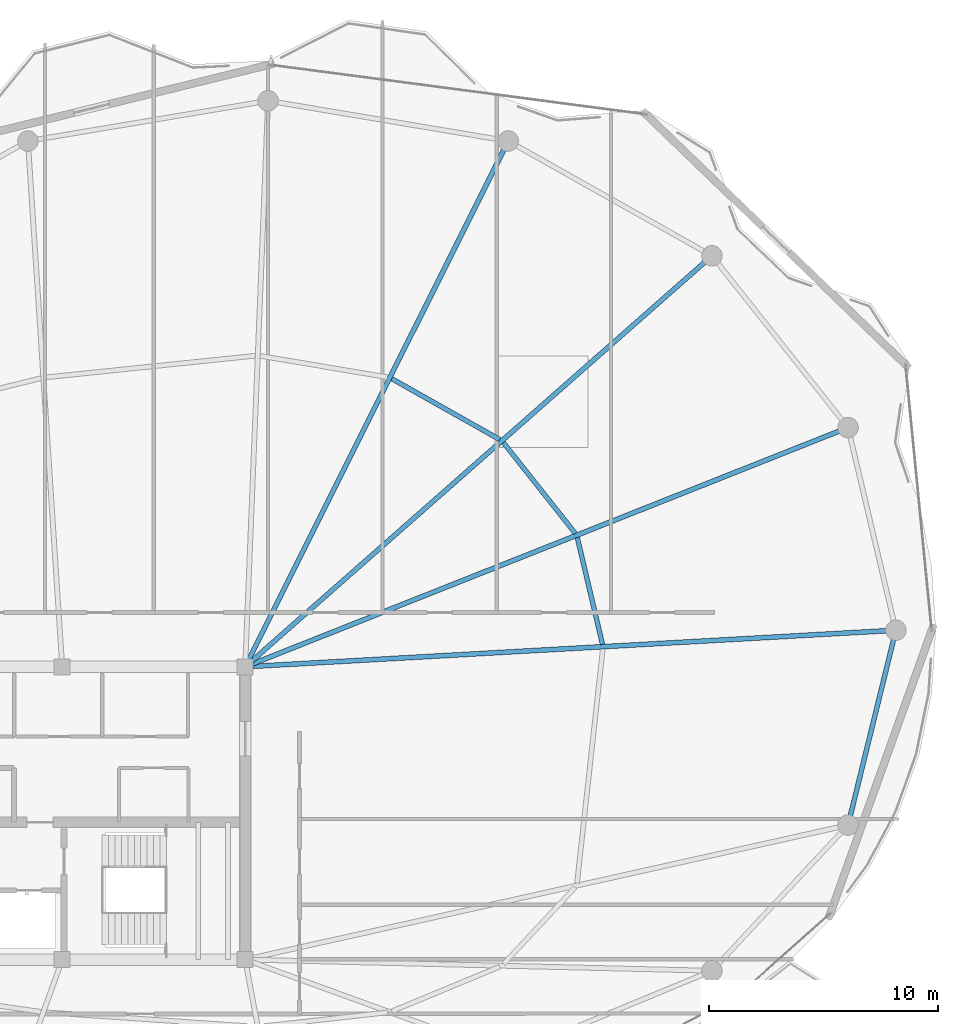
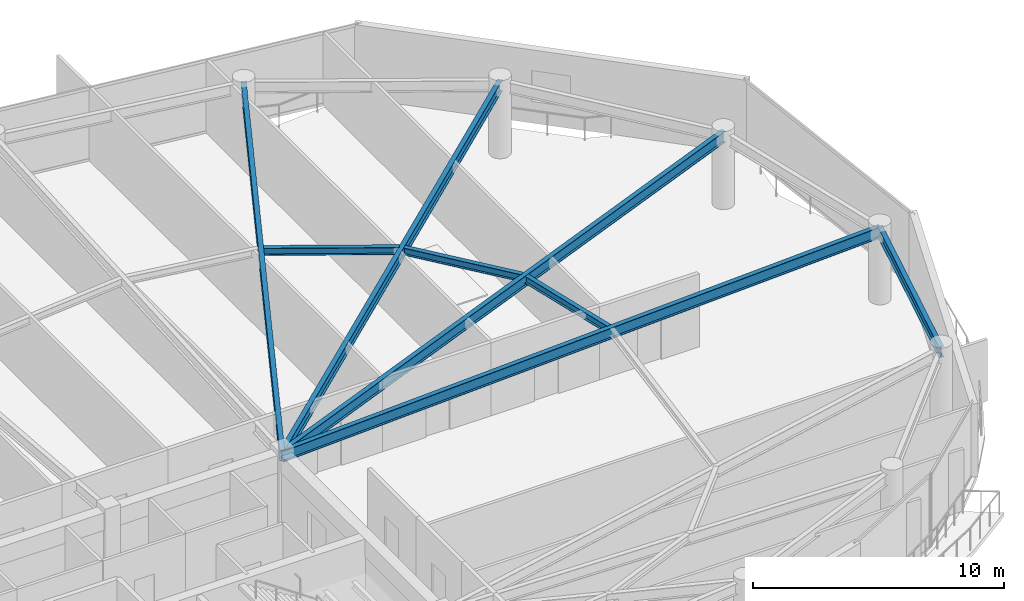
# One storey, part 16 of 30: 8 beams.
"""IFC4 building model written with IfcOpenShell, lengths in metres."""

from ifc_helpers import new_model, si_unit, direction, frame, origin, origin_2d, place, context, subcontext, project, spatial, i_section, extrude, material, material_profile, profile_set, type_object, element, save


model = new_model("IFC4")

# Units and contexts
model_context = context("Model", 3, precision=1e-05, world=origin(), true_north=direction((0.0, 1.0)))
body_context = subcontext(model_context, "Body", "Model", "MODEL_VIEW")
ifc_project = project(units=[si_unit("LENGTHUNIT", "METRE"), si_unit("AREAUNIT", "SQUARE_METRE"), si_unit("VOLUMEUNIT", "CUBIC_METRE"), si_unit("PLANEANGLEUNIT", "RADIAN"), si_unit("MASSUNIT", "GRAM", prefix="KILO")], contexts=[model_context])

# Site, building, storey
site_placement = place(None, origin())
site = spatial("IfcSite", under=ifc_project, at=site_placement, CompositionType="ELEMENT")
building_placement = place(site_placement, origin())
building = spatial("IfcBuilding", under=site, at=building_placement, Name="Kazevale Care Tower and Concert Hall", CompositionType="ELEMENT")
storey_placement = place(building_placement, frame((0.0, 0.0, 258.60009765625)))
storey = spatial("IfcBuildingStorey", under=building, at=storey_placement, Name="L68", CompositionType="ELEMENT", Elevation=258.60009765625)

# Beams
ifc_material = material(Name="Steel ASTM A572 Gr 50", Category="steel")
ifc_material_profile_1 = material_profile(ifc_material, i_section(OverallWidth=0.2119140625, OverallDepth=0.5439453125, WebThickness=0.01318359375, FlangeThickness=0.021240234375, at=origin_2d()), Name="W530x123")
ifc_profile_set_1 = profile_set([ifc_material_profile_1], Name="Steel ASTM A572 Gr 50")
beam_type_1 = type_object("IfcBeamType", Name="Radial Floor Girder W530x123", PredefinedType="BEAM", material=ifc_profile_set_1)
beam_1_placement = place(storey_placement, frame((44.0, 36.39990234375, 3.287841796875), z_axis=(0.998422130452, 0.056153801503, 0.0), x_axis=(-0.056153801503, 0.998422130452, 0.0)))
element("IfcBeam", 1, at=beam_1_placement, inside=storey, type_object=beam_type_1, Name="beam:L68:rad:01", PredefinedType="BEAM", context=body_context, shape_type="SweptSolid", body=[
    extrude(i_section(OverallWidth=0.2119140625, OverallDepth=0.5439453125, WebThickness=0.01318359375, FlangeThickness=0.021240234375, at=origin_2d()), origin(), (0.0, 0.0, 1.0), 28.494873046875),
])
beam_2_placement = place(storey_placement, frame((44.0, 36.39990234375, 3.287841796875), z_axis=(0.929492585064, 0.368840798057, 0.0), x_axis=(-0.368840798057, 0.929492585064, 0.0)))
element("IfcBeam", 2, at=beam_2_placement, inside=storey, type_object=beam_type_1, Name="beam:L68:rad:02", PredefinedType="BEAM", context=body_context, shape_type="SweptSolid", body=[
    extrude(i_section(OverallWidth=0.2119140625, OverallDepth=0.5439453125, WebThickness=0.01318359375, FlangeThickness=0.021240234375, at=origin_2d()), origin(), (0.0, 0.0, 1.0), 28.359619140625),
])
beam_3_placement = place(storey_placement, frame((44.0, 36.39990234375, 3.287841796875), z_axis=(0.750540377871, 0.660824591844, 0.0), x_axis=(-0.660824591844, 0.750540377871, 0.0)))
element("IfcBeam", 3, at=beam_3_placement, inside=storey, type_object=beam_type_1, Name="beam:L68:rad:03", PredefinedType="BEAM", context=body_context, shape_type="SweptSolid", body=[
    extrude(i_section(OverallWidth=0.2119140625, OverallDepth=0.5439453125, WebThickness=0.01318359375, FlangeThickness=0.021240234375, at=origin_2d()), origin(), (0.0, 0.0, 1.0), 27.193603515625),
])
beam_4_placement = place(storey_placement, frame((44.0, 36.39990234375, 3.287841796875), z_axis=(0.447369347408, 0.894349298093, 0.0), x_axis=(-0.894349298093, 0.447369347408, 0.0)))
element("IfcBeam", 4, at=beam_4_placement, inside=storey, type_object=beam_type_1, Name="beam:L68:rad:04", PredefinedType="BEAM", context=body_context, shape_type="SweptSolid", body=[
    extrude(i_section(OverallWidth=0.2119140625, OverallDepth=0.5439453125, WebThickness=0.01318359375, FlangeThickness=0.021240234375, at=origin_2d()), origin(), (0.0, 0.0, 1.0), 25.705810546875),
])
ifc_material_profile_2 = material_profile(ifc_material, i_section(OverallWidth=0.205078125, OverallDepth=0.35400390625, WebThickness=0.009521484375, FlangeThickness=0.016845703125, at=origin_2d()), Name="W360x79")
ifc_profile_set_2 = profile_set([ifc_material_profile_2], Name="Steel ASTM A572 Gr 50")
beam_type_2 = type_object("IfcBeamType", Name="Secondary Floor Joist W360x79", PredefinedType="JOIST", material=ifc_profile_set_2)
beam_5_placement = place(storey_placement, frame((59.623046875, 37.382080078125, 3.3828125), z_axis=(-0.2295328947, 0.973300904269, 0.0), x_axis=(-0.973300904269, -0.2295328947, 0.0)))
element("IfcBeam", 5, at=beam_5_placement, inside=storey, type_object=beam_type_2, Name="beam:L68:joist:01", PredefinedType="JOIST", context=body_context, shape_type="SweptSolid", body=[
    extrude(i_section(OverallWidth=0.205078125, OverallDepth=0.35400390625, WebThickness=0.009521484375, FlangeThickness=0.016845703125, at=origin_2d()), origin(), (0.0, 0.0, 1.0), 4.797119140625),
])
beam_6_placement = place(storey_placement, frame((58.43310546875, 42.235107421875, 3.3828125), z_axis=(-0.621004461172, 0.783807029315, 0.0), x_axis=(-0.783807029315, -0.621004461172, 0.0)))
element("IfcBeam", 6, at=beam_6_placement, inside=storey, type_object=beam_type_2, Name="beam:L68:joist:02", PredefinedType="JOIST", context=body_context, shape_type="SweptSolid", body=[
    extrude(i_section(OverallWidth=0.205078125, OverallDepth=0.35400390625, WebThickness=0.009521484375, FlangeThickness=0.016845703125, at=origin_2d()), origin(), (0.0, 0.0, 1.0), 5.0595703125),
])
beam_7_placement = place(storey_placement, frame((55.134033203125, 46.3349609375, 3.3828125), z_axis=(-0.871253873352, 0.490832647823, 0.0), x_axis=(-0.490832647823, -0.871253873352, 0.0)))
element("IfcBeam", 7, at=beam_7_placement, inside=storey, type_object=beam_type_2, Name="beam:L68:joist:03", PredefinedType="JOIST", context=body_context, shape_type="SweptSolid", body=[
    extrude(i_section(OverallWidth=0.205078125, OverallDepth=0.35400390625, WebThickness=0.009521484375, FlangeThickness=0.016845703125, at=origin_2d()), origin(), (0.0, 0.0, 1.0), 5.415283203125),
])
ifc_material_profile_3 = material_profile(ifc_material, i_section(OverallWidth=0.208984375, OverallDepth=0.532958984375, WebThickness=0.01025390625, FlangeThickness=0.015625, at=origin_2d()), Name="W530x92")
ifc_profile_set_3 = profile_set([ifc_material_profile_3], Name="Steel ASTM A572 Gr 50")
beam_type_3 = type_object("IfcBeamType", Name="Upper Ring Beam W530x92", PredefinedType="BEAM", material=ifc_profile_set_3)
beam_8_placement = place(storey_placement, frame((70.360107421875, 29.47998046875, 3.29345703125), z_axis=(0.238224499566, 0.971210115169, 0.0), x_axis=(-0.971210115169, 0.238224499566, 0.0)))
element("IfcBeam", 8, at=beam_8_placement, inside=storey, type_object=beam_type_3, Name="beam:L68:ring:16", PredefinedType="BEAM", context=body_context, shape_type="SweptSolid", body=[
    extrude(i_section(OverallWidth=0.208984375, OverallDepth=0.532958984375, WebThickness=0.01025390625, FlangeThickness=0.015625, at=origin_2d()), origin(), (0.0, 0.0, 1.0), 8.7724609375),
])

save(model, "model.ifc")
